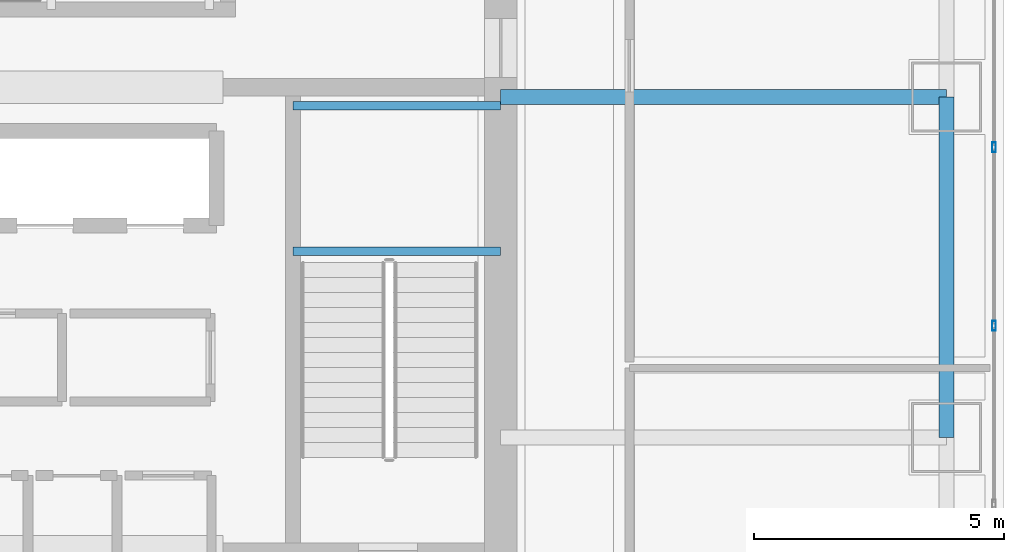
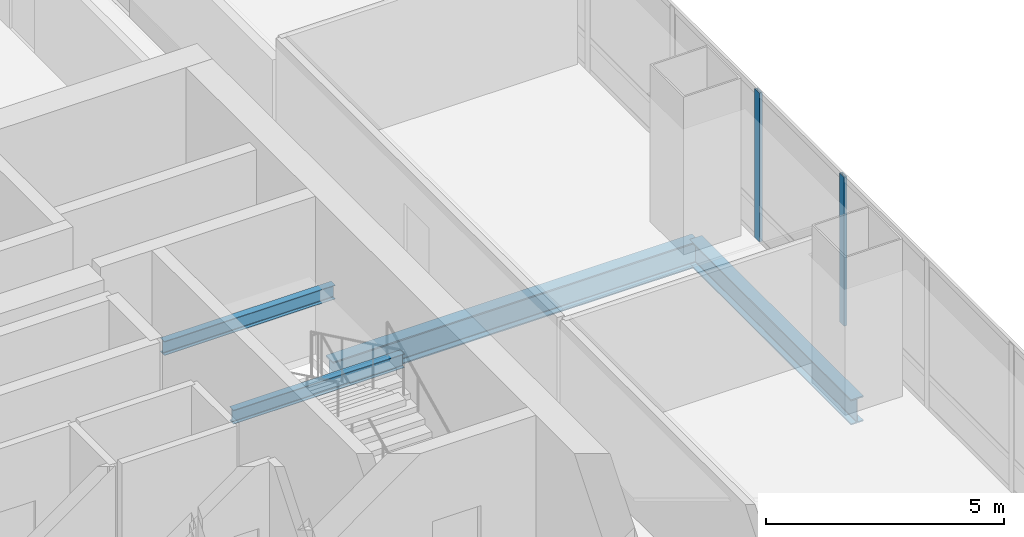
# One storey, part 16 of 38: 4 beams, 2 members, 1 element without a shape of its own.
"""IFC4 building model written with IfcOpenShell, lengths in metres."""

from ifc_helpers import new_model, si_unit, direction, frame, origin, origin_2d, place, context, subcontext, project, spatial, hollow_rectangle, i_section, extrude, material, material_profile, profile_set, type_object, element, aggregate, save


model = new_model("IFC4")

# Units and contexts
model_context = context("Model", 3, precision=1e-05, world=origin(), true_north=direction((0.0, 1.0)))
body_context = subcontext(model_context, "Body", "Model", "MODEL_VIEW")
ifc_project = project(units=[si_unit("LENGTHUNIT", "METRE"), si_unit("AREAUNIT", "SQUARE_METRE"), si_unit("VOLUMEUNIT", "CUBIC_METRE"), si_unit("PLANEANGLEUNIT", "RADIAN"), si_unit("MASSUNIT", "GRAM", prefix="KILO")], contexts=[model_context])

# Site, building, storey
site_placement = place(None, origin())
site = spatial("IfcSite", under=ifc_project, at=site_placement, CompositionType="ELEMENT")
building_placement = place(site_placement, origin())
building = spatial("IfcBuilding", under=site, at=building_placement, Name="Punatoya Terracotta Tower", CompositionType="ELEMENT")
storey_placement = place(building_placement, frame((0.0, 0.0, 147.89990234375)))
storey = spatial("IfcBuildingStorey", under=building, at=storey_placement, Name="L34", CompositionType="ELEMENT", Elevation=147.89990234375)

# Beams
ifc_material_1 = material(Name="Steel S355", Category="steel")
ifc_material_profile_1 = material_profile(ifc_material_1, i_section(OverallWidth=0.300048828125, OverallDepth=0.64990234375, WebThickness=0.01611328125, FlangeThickness=0.031005859375, FilletRadius=0.01806640625, at=origin_2d()))
ifc_profile_set_1 = profile_set([ifc_material_profile_1], Name="Steel S355")
beam_type_1 = type_object("IfcBeamType", Name="BM-PRI-650", PredefinedType="BEAM", material=ifc_profile_set_1)
beam_1_placement = place(storey_placement, frame((19.10009765625, -3.39990234375, -0.544921875), z_axis=(0.0, 1.0, 0.0), x_axis=(-1.0, 0.0, 0.0)))
element("IfcBeam", 1, at=beam_1_placement, inside=storey, type_object=beam_type_1, Name="BM-L34-RG-E2", PredefinedType="BEAM", context=body_context, shape_type="SweptSolid", body=[
    extrude(i_section(OverallWidth=0.300048828125, OverallDepth=0.64990234375, WebThickness=0.01611328125, FlangeThickness=0.031005859375, FilletRadius=0.01806640625, at=origin_2d()), origin(), (0.0, 0.0, 1.0), 6.7998046875),
])
beam_2_placement = place(storey_placement, frame((10.199951171875, 3.39990234375, -0.544921875), z_axis=(1.0, 0.0, 0.0), x_axis=(0.0, 1.0, 0.0)))
element("IfcBeam", 2, at=beam_2_placement, inside=storey, type_object=beam_type_1, Name="BM-L34-PR-EE", PredefinedType="BEAM", context=body_context, shape_type="SweptSolid", body=[
    extrude(i_section(OverallWidth=0.300048828125, OverallDepth=0.64990234375, WebThickness=0.01611328125, FlangeThickness=0.031005859375, FilletRadius=0.01806640625, at=origin_2d()), origin(), (0.0, 0.0, 1.0), 8.900146484375),
])
ifc_material_profile_2 = material_profile(ifc_material_1, i_section(OverallWidth=0.169921875, OverallDepth=0.360107421875, WebThickness=0.008056640625, FlangeThickness=0.0126953125, FilletRadius=0.01806640625, at=origin_2d()))
ifc_profile_set_2 = profile_set([ifc_material_profile_2], Name="Steel S355")
beam_type_2 = type_object("IfcBeamType", Name="BM-SEC-360", PredefinedType="JOIST", material=ifc_profile_set_2)
for number, where, z_axis, x_axis, name in (
    (3, (6.050048828125, 0.320068359375, 1.64501953125), (1.0, 0.0, 0.0), (0.0, 1.0, 0.0), "BM-L34-ST-2-LD1A"),
    (4, (6.050048828125, 3.22998046875, 1.64501953125), (1.0, 0.0, 0.0), (0.0, 1.0, 0.0), "BM-L34-ST-2-LD1B"),
):
    element("IfcBeam", number, at=place(storey_placement, frame(where, z_axis=z_axis, x_axis=x_axis)), inside=storey, type_object=beam_type_2, Name=name, PredefinedType="JOIST", context=body_context, shape_type="SweptSolid", body=[
        extrude(i_section(OverallWidth=0.169921875, OverallDepth=0.360107421875, WebThickness=0.008056640625, FlangeThickness=0.0126953125, FilletRadius=0.01806640625, at=origin_2d()), origin(), (0.0, 0.0, 1.0), 4.14990234375),
    ])

# Curtain wall, members
ifc_material_2 = material(Name="Aluminium 6063-T6 + Double Low-E Glass", Category="aluminium")
curtain_wall_type = type_object("IfcCurtainWallType", Name="CW-M2", PredefinedType="NOTDEFINED", material=ifc_material_2)
curtain_wall_placement = place(storey_placement, origin())
curtain_wall = element("IfcCurtainWall", 5, at=curtain_wall_placement, inside=storey, type_object=curtain_wall_type, Name="L34 Curtain Wall CW-L34-E05-1", PredefinedType="NOTDEFINED")
ifc_material_3 = material(Name="Aluminium 6063-T6", Category="aluminium")
ifc_material_profile_3 = material_profile(ifc_material_3, hollow_rectangle(XDim=0.072021484375, YDim=0.195068359375, WallThickness=0.00439453125, at=origin_2d()))
ifc_profile_set_3 = profile_set([ifc_material_profile_3], Name="Aluminium 6063-T6")
member_type = type_object("IfcMemberType", Name="CW-MUL-M2", PredefinedType="MULLION", material=ifc_profile_set_3)
member_1_placement = place(storey_placement, frame((20.050048828125, -1.16748046875, 0.0), z_axis=(0.0, 0.0, 1.0), x_axis=(1.0, 0.0, 0.0)))
member_1 = element("IfcMember", 6, at=member_1_placement, type_object=member_type, Name="CW-L34-E05-1 Mullion 04", PredefinedType="MULLION", context=body_context, shape_type="SweptSolid", body=[
    extrude(hollow_rectangle(XDim=0.072021484375, YDim=0.195068359375, WallThickness=0.00439453125, at=origin_2d()), origin(), (0.0, 0.0, 1.0), 3.830078125),
])
member_2_placement = place(storey_placement, frame((20.050048828125, 2.39990234375, 0.0), z_axis=(0.0, 0.0, 1.0), x_axis=(1.0, 0.0, 0.0)))
member_2 = element("IfcMember", 7, at=member_2_placement, type_object=member_type, Name="CW-L34-E05-1 Mullion 05", PredefinedType="MULLION", context=body_context, shape_type="SweptSolid", body=[
    extrude(hollow_rectangle(XDim=0.072021484375, YDim=0.195068359375, WallThickness=0.00439453125, at=origin_2d()), origin(), (0.0, 0.0, 1.0), 3.830078125),
])
aggregate(curtain_wall, [member_1, member_2])

save(model, "model.ifc")
